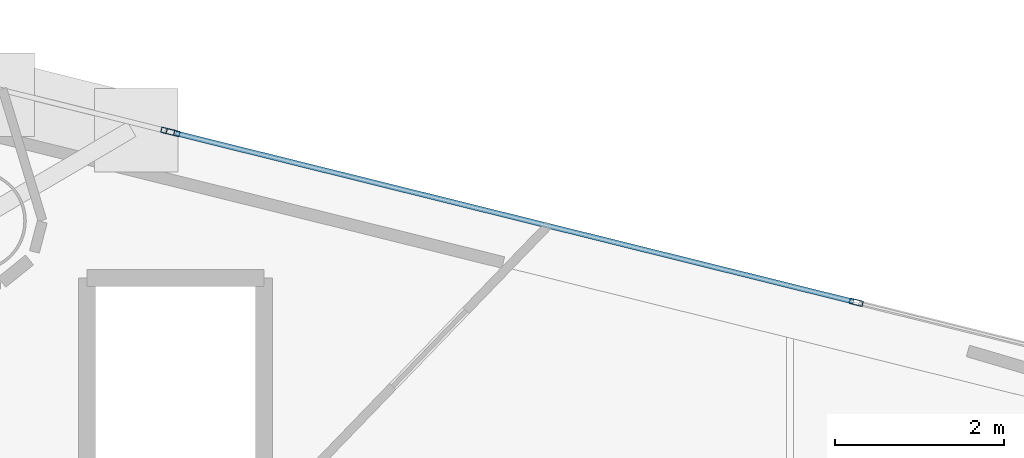
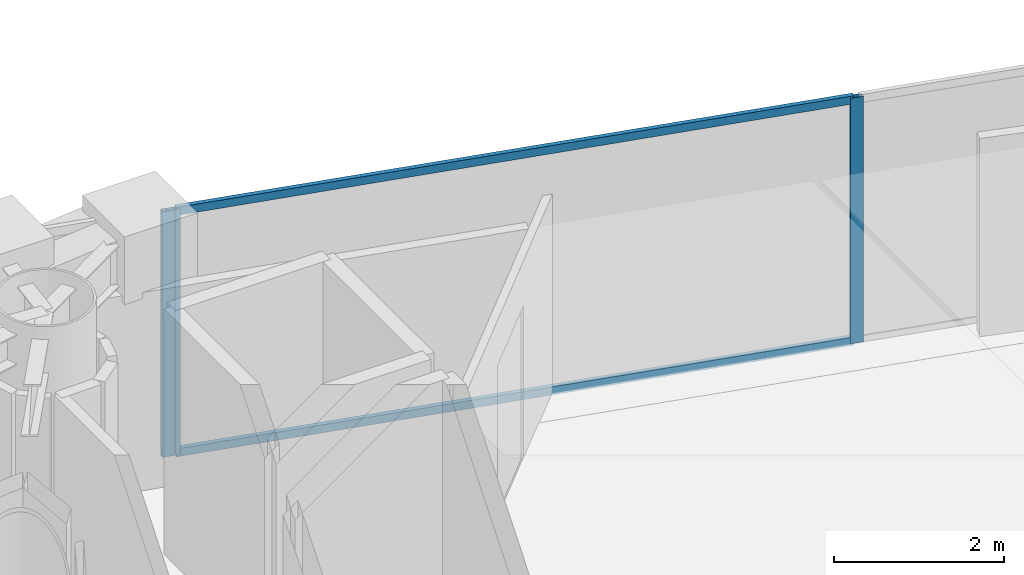
# One storey, part 15 of 23: 5 members, 2 elements without a shape of their own.
"""IFC4 building model written with IfcOpenShell, lengths in metres."""

from ifc_helpers import new_model, si_unit, direction, frame, origin, origin_2d, place, context, subcontext, project, spatial, hollow_rectangle, extrude, material, layer, layer_set, material_profile, profile_set, type_object, element, aggregate, save


model = new_model("IFC4")

# Units and contexts
model_context = context("Model", 3, precision=1e-05, world=origin(), true_north=direction((0.0, 1.0)))
body_context = subcontext(model_context, "Body", "Model", "MODEL_VIEW")
ifc_project = project(units=[si_unit("LENGTHUNIT", "METRE"), si_unit("AREAUNIT", "SQUARE_METRE"), si_unit("VOLUMEUNIT", "CUBIC_METRE"), si_unit("PLANEANGLEUNIT", "RADIAN"), si_unit("MASSUNIT", "GRAM", prefix="KILO")], contexts=[model_context])

# Site, building, storey
site_placement = place(None, origin())
site = spatial("IfcSite", under=ifc_project, at=site_placement, CompositionType="ELEMENT")
building_placement = place(site_placement, origin())
building = spatial("IfcBuilding", under=site, at=building_placement, Name="Qianvela Tower", CompositionType="ELEMENT")
storey_placement = place(building_placement, frame((0.0, 0.0, 192.89990234375)))
storey = spatial("IfcBuildingStorey", under=building, at=storey_placement, Name="L49", CompositionType="ELEMENT", Elevation=192.89990234375)

# Curtain wall, member
ifc_material_1 = material(Name="Anodised Architectural Aluminium and Insulated Spandrel Panel", Category="aluminium")
ifc_layer_1 = layer(ifc_material_1, 0.179931640625)
ifc_layer_set_1 = layer_set([ifc_layer_1], Name="Anodised Architectural Aluminium and Insulated Spandrel Panel")
curtain_wall_type_1 = type_object("IfcCurtainWallType", Name="CW-BRACEBAY", PredefinedType="USERDEFINED", material=ifc_layer_set_1)
curtain_wall_1_placement = place(storey_placement, origin())
curtain_wall_1 = element("IfcCurtainWall", 1, at=curtain_wall_1_placement, inside=storey, type_object=curtain_wall_type_1, Name="L49 CW-BRACEBAY Curtain Wall 02B", ObjectType="CURTAIN_WALL_SYSTEM", PredefinedType="USERDEFINED")
ifc_material_2 = material(Name="Anodised Architectural Aluminium 6063-T6", Category="aluminium")
ifc_material_profile_1 = material_profile(ifc_material_2, hollow_rectangle(XDim=0.06494140625, YDim=0.159912109375, WallThickness=0.0048828125, at=origin_2d()), Name="ALU-MULL-65x160")
ifc_profile_set_1 = profile_set([ifc_material_profile_1], Name="Anodised Architectural Aluminium 6063-T6")
member_type_1 = type_object("IfcMemberType", Name="CW-BRACEBAY-MULL", PredefinedType="MULLION", material=ifc_profile_set_1)
member_1_placement = place(storey_placement, frame((42.407958984375, 37.021240234375, 0.0), z_axis=(0.0, 0.0, 1.0), x_axis=(-0.241124089364, -0.970494293403, 0.0)))
member_1 = element("IfcMember", 2, at=member_1_placement, type_object=member_type_1, Name="CW-9 mullion 1", PredefinedType="MULLION", context=body_context, shape_type="SweptSolid", body=[
    extrude(hollow_rectangle(XDim=0.06494140625, YDim=0.159912109375, WallThickness=0.0048828125, at=origin_2d()), origin(), (0.0, 0.0, 1.0), 3.52001953125),
])
aggregate(curtain_wall_1, [member_1])

# Curtain wall, members
ifc_material_3 = material(Name="Anodised Architectural Aluminium and Low-E Glass", Category="aluminium")
ifc_layer_2 = layer(ifc_material_3, 0.159912109375)
ifc_layer_set_2 = layer_set([ifc_layer_2], Name="Anodised Architectural Aluminium and Low-E Glass")
curtain_wall_type_2 = type_object("IfcCurtainWallType", Name="CW-COLIV-Z56", PredefinedType="USERDEFINED", material=ifc_layer_set_2)
curtain_wall_2_placement = place(storey_placement, origin())
curtain_wall_2 = element("IfcCurtainWall", 3, at=curtain_wall_2_placement, inside=storey, type_object=curtain_wall_type_2, Name="L49 CW-COLIV-Z56 Curtain Wall 02A", ObjectType="CURTAIN_WALL_SYSTEM", PredefinedType="USERDEFINED")
ifc_material_4 = material(Name="Anodised Architectural Aluminium 6063-T6", Category="aluminium")
ifc_material_profile_2 = material_profile(ifc_material_4, hollow_rectangle(XDim=0.06494140625, YDim=0.159912109375, WallThickness=0.0048828125, at=origin_2d()), Name="ALU-MULL-65x160")
ifc_profile_set_2 = profile_set([ifc_material_profile_2], Name="Anodised Architectural Aluminium 6063-T6")
member_type_2 = type_object("IfcMemberType", Name="CW-COLIV-Z56-MULL", PredefinedType="MULLION", material=ifc_profile_set_2)
member_2_placement = place(storey_placement, frame((50.5673828125, 34.993896484375, 0.0), z_axis=(0.0, 0.0, 1.0), x_axis=(-0.241122199386, -0.970494762976, 0.0)))
member_2 = element("IfcMember", 4, at=member_2_placement, type_object=member_type_2, Name="CW-5 mullion 2", PredefinedType="MULLION", context=body_context, shape_type="SweptSolid", body=[
    extrude(hollow_rectangle(XDim=0.06494140625, YDim=0.159912109375, WallThickness=0.0048828125, at=origin_2d()), origin(), (0.0, 0.0, 1.0), 3.52001953125),
])
member_3_placement = place(storey_placement, frame((42.470947265625, 37.005615234375, 0.0), z_axis=(0.0, 0.0, 1.0), x_axis=(-0.241122199386, -0.970494762976, 0.0)))
member_3 = element("IfcMember", 5, at=member_3_placement, type_object=member_type_2, Name="CW-5 mullion 3", PredefinedType="MULLION", context=body_context, shape_type="SweptSolid", body=[
    extrude(hollow_rectangle(XDim=0.06494140625, YDim=0.159912109375, WallThickness=0.0048828125, at=origin_2d()), origin(), (0.0, 0.0, 1.0), 3.52001953125),
])
ifc_material_5 = material(Name="Anodised Architectural Aluminium 6063-T6", Category="aluminium")
ifc_material_profile_3 = material_profile(ifc_material_5, hollow_rectangle(XDim=0.06005859375, YDim=0.114990234375, WallThickness=0.00390625, at=origin_2d()), Name="ALU-TRAN-60x115")
ifc_profile_set_3 = profile_set([ifc_material_profile_3], Name="Anodised Architectural Aluminium 6063-T6")
member_type_3 = type_object("IfcMemberType", Name="CW-COLIV-Z56-TRAN", PredefinedType="USERDEFINED", material=ifc_profile_set_3)
member_4_placement = place(storey_placement, frame((50.535888671875, 35.001953125, 0.030029296875), z_axis=(-0.970495404185, 0.241119618563, 0.0), x_axis=(-0.241119618563, -0.970495404185, 0.0)))
member_4 = element("IfcMember", 6, at=member_4_placement, type_object=member_type_3, Name="CW-5 transom 2.1", ObjectType="TRANSOM", PredefinedType="USERDEFINED", context=body_context, shape_type="SweptSolid", body=[
    extrude(hollow_rectangle(XDim=0.06005859375, YDim=0.114990234375, WallThickness=0.00390625, at=origin_2d()), origin(), (0.0, 0.0, 1.0), 8.27734375),
])
member_5_placement = place(storey_placement, frame((50.535888671875, 35.001953125, 3.489990234375), z_axis=(-0.970495404185, 0.241119618563, 0.0), x_axis=(-0.241119618563, -0.970495404185, 0.0)))
member_5 = element("IfcMember", 7, at=member_5_placement, type_object=member_type_3, Name="CW-5 transom 2.2", ObjectType="TRANSOM", PredefinedType="USERDEFINED", context=body_context, shape_type="SweptSolid", body=[
    extrude(hollow_rectangle(XDim=0.06005859375, YDim=0.114990234375, WallThickness=0.00390625, at=origin_2d()), origin(), (0.0, 0.0, 1.0), 8.27734375),
])
aggregate(curtain_wall_2, [member_2, member_3, member_4, member_5])

save(model, "model.ifc")
